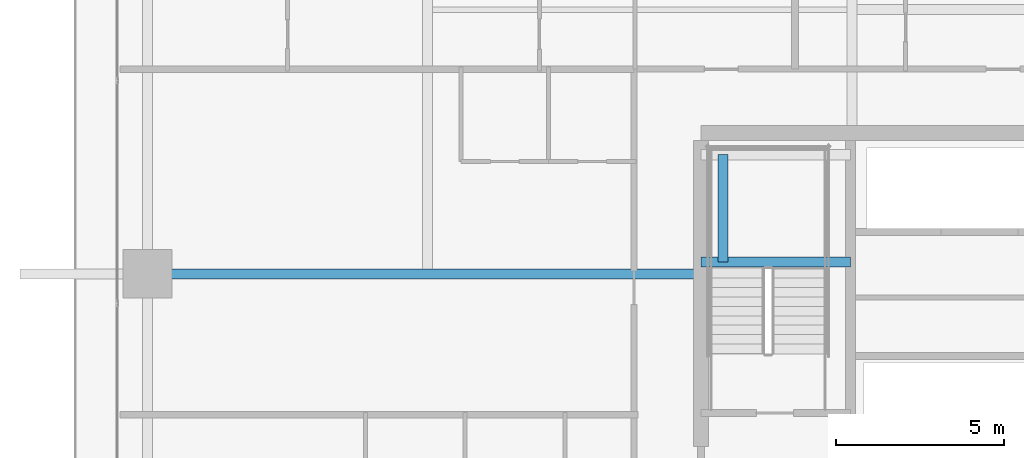
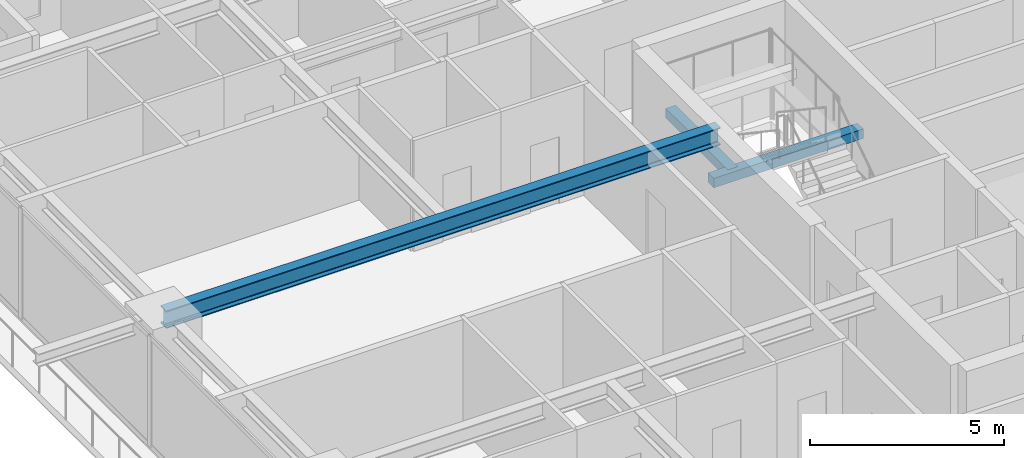
# One storey, part 9 of 38: 3 beams.
"""IFC4 building model written with IfcOpenShell, lengths in metres."""

from ifc_helpers import new_model, si_unit, direction, frame, origin, origin_2d, place, context, subcontext, project, spatial, rectangle, i_section, extrude, source, transform, mapped, material, material_profile, profile_set, type_object, element, save


model = new_model("IFC4")

# Units and contexts
model_context = context("Model", 3, precision=1e-05, world=origin(), true_north=direction((0.0, 1.0)))
body_context = subcontext(model_context, "Body", "Model", "MODEL_VIEW")
ifc_project = project(units=[si_unit("LENGTHUNIT", "METRE"), si_unit("AREAUNIT", "SQUARE_METRE"), si_unit("VOLUMEUNIT", "CUBIC_METRE"), si_unit("PLANEANGLEUNIT", "RADIAN"), si_unit("MASSUNIT", "GRAM", prefix="KILO")], contexts=[model_context])

# Site, building, storey
site_placement = place(None, origin())
site = spatial("IfcSite", under=ifc_project, at=site_placement, CompositionType="ELEMENT")
building_placement = place(site_placement, origin())
building = spatial("IfcBuilding", under=site, at=building_placement, Name="Serunith Strait Residences", CompositionType="ELEMENT")
storey_placement = place(building_placement, frame((0.0, 0.0, 37.949951171875)))
storey = spatial("IfcBuildingStorey", under=building, at=storey_placement, Name="L08", CompositionType="ELEMENT", Elevation=37.949951171875)

# Beams
ifc_material_1 = material(Name="Steel S355J2", Category="steel")
ifc_material_profile_1 = material_profile(ifc_material_1, i_section(OverallWidth=0.300048828125, OverallDepth=0.550048828125, WebThickness=0.014892578125, FlangeThickness=0.029052734375, FilletRadius=0.027099609375, at=origin_2d()), Name="HEB 550")
ifc_profile_set_1 = profile_set([ifc_material_profile_1], Name="Steel S355J2")
beam_type_1 = type_object("IfcBeamType", Name="BM-HEB550", PredefinedType="BEAM", material=ifc_profile_set_1)
shared_shape_1 = source(origin(), body_context, "Body", "SweptSolid", [
    extrude(i_section(OverallWidth=0.300048828125, OverallDepth=0.550048828125, WebThickness=0.014892578125, FlangeThickness=0.029052734375, FilletRadius=0.027099609375, at=origin_2d()), origin(), (0.0, 0.0, 1.0), 16.5),
])
beam_1_placement = place(storey_placement, frame((23.39990234375, 29.39990234375, 3.212158203125), z_axis=(-1.0, 0.0, 0.0), x_axis=(0.0, -1.0, 0.0)))
element("IfcBeam", 1, at=beam_1_placement, inside=storey, type_object=beam_type_1, Name="L08 Primary Floor Girder TC-W3", PredefinedType="BEAM", context=body_context, shape_type="MappedRepresentation", body=[
    mapped(shared_shape_1, transform((0.0, 0.0, 0.0), scale=1.0)),
])
ifc_material_2 = material(Name="Concrete C60/75", Category="concrete")
ifc_material_profile_2 = material_profile(ifc_material_2, rectangle(XDim=0.300048828125, YDim=0.300048828125, at=origin_2d()), Name="RC 300x300")
ifc_profile_set_2 = profile_set([ifc_material_profile_2], Name="Concrete C60/75")
beam_type_2 = type_object("IfcBeamType", Name="BM-LAND-300x300", PredefinedType="BEAM", material=ifc_profile_set_2)
shared_shape_2 = source(origin(), body_context, "Body", "SweptSolid", [
    extrude(rectangle(XDim=0.300048828125, YDim=0.300048828125, at=origin_2d()), origin(), (0.0, 0.0, 1.0), 4.4501953125),
])
beam_2_placement = place(storey_placement, frame((23.39990234375, 29.75, 1.525146484375), z_axis=(1.0, 0.0, 0.0), x_axis=(0.0, 1.0, 0.0)))
element("IfcBeam", 2, at=beam_2_placement, inside=storey, type_object=beam_type_2, Name="L08 ST-1 Landing Support Beam 1", PredefinedType="BEAM", context=body_context, shape_type="MappedRepresentation", body=[
    mapped(shared_shape_2, transform((0.0, 0.0, 0.0), scale=1.0)),
])
shared_shape_3 = source(origin(), body_context, "Body", "SweptSolid", [
    extrude(rectangle(XDim=0.300048828125, YDim=0.300048828125, at=origin_2d()), origin(), (0.0, 0.0, 1.0), 3.199951171875),
])
beam_3_placement = place(storey_placement, frame((24.050048828125, 29.75, 1.525146484375), z_axis=(0.0, 1.0, 0.0), x_axis=(-1.0, 0.0, 0.0)))
element("IfcBeam", 3, at=beam_3_placement, inside=storey, type_object=beam_type_2, Name="L08 ST-1 Landing Transverse Tie Beam", PredefinedType="BEAM", context=body_context, shape_type="MappedRepresentation", body=[
    mapped(shared_shape_3, transform((0.0, 0.0, 0.0), scale=1.0)),
])

save(model, "model.ifc")
